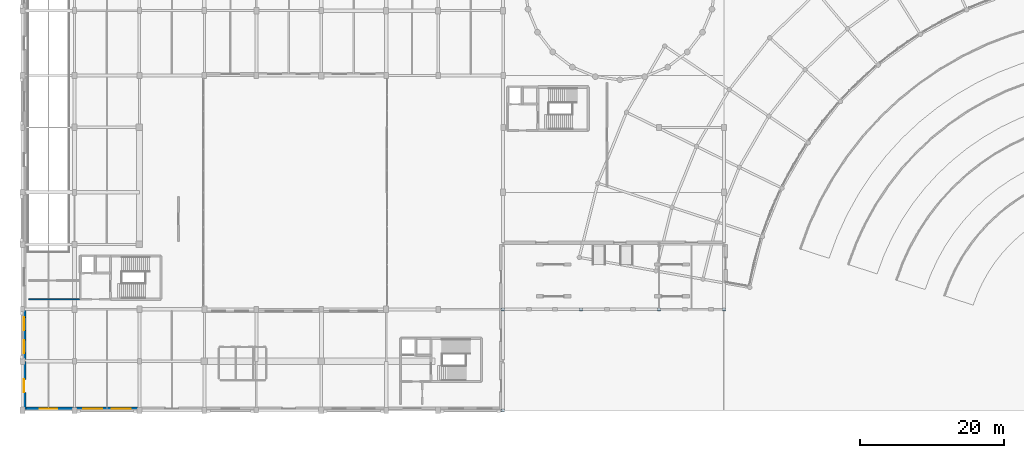
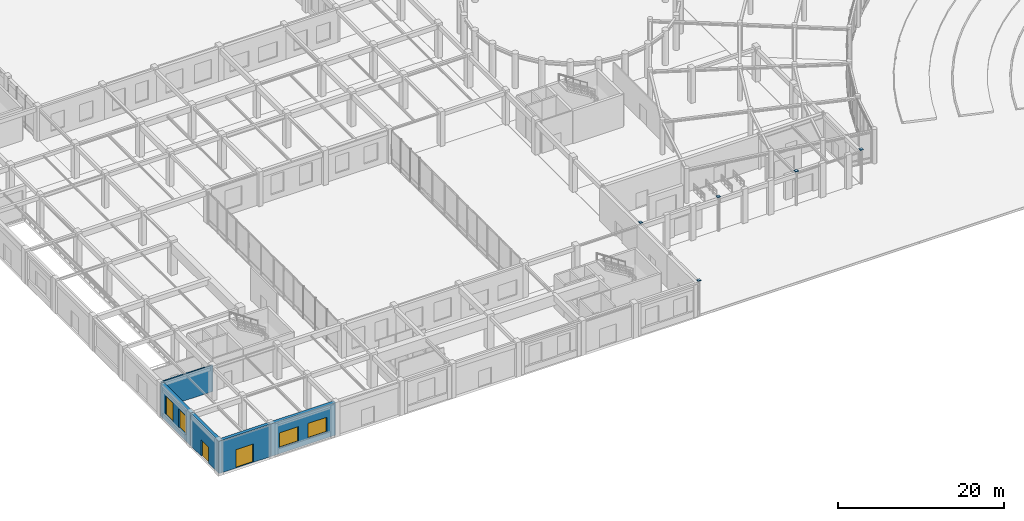
# One storey, part 44 of 64: 5 plates, 5 walls, 4 windows, 2 doors, 6 openings.
"""IFC4 building model written with IfcOpenShell, lengths in metres."""

from ifc_helpers import new_model, si_unit, direction, frame, frame_2d, origin, origin_2d, place, context, subcontext, project, spatial, rectangle, extrude, material, layer, layer_set, type_object, element, fill, save


model = new_model("IFC4")

# Units and contexts
model_context = context("Model", 3, precision=1e-05, world=origin(), true_north=direction((0.0, 1.0)))
body_context = subcontext(model_context, "Body", "Model", "MODEL_VIEW")
ifc_project = project(units=[si_unit("LENGTHUNIT", "METRE"), si_unit("AREAUNIT", "SQUARE_METRE"), si_unit("VOLUMEUNIT", "CUBIC_METRE"), si_unit("PLANEANGLEUNIT", "RADIAN"), si_unit("MASSUNIT", "GRAM", prefix="KILO")], contexts=[model_context])

# Site, building, storey
site_placement = place(None, origin())
site = spatial("IfcSite", under=ifc_project, at=site_placement, CompositionType="ELEMENT")
building_placement = place(site_placement, origin())
building = spatial("IfcBuilding", under=site, at=building_placement, Name="Clarverna Civic Hall", CompositionType="ELEMENT")
storey_placement = place(building_placement, origin())
storey = spatial("IfcBuildingStorey", under=building, at=storey_placement, Name="L00", CompositionType="ELEMENT", Elevation=0.0)

# Plates
ifc_material_1 = material(Name="Steel S355", Category="steel")
ifc_layer_1 = layer(ifc_material_1, 0.02001953125)
ifc_layer_set_1 = layer_set([ifc_layer_1], Name="Steel S355")
plate_type = type_object("IfcPlateType", Name="NP-04", PredefinedType="SHEET", material=ifc_layer_set_1)
for number, where, z_axis, x_axis, name in (
    (1, (66.60009765625, 0.0, 5.094970703125), (0.0, 0.0, 1.0), (1.0, 0.0, 0.0), "NP-04-020"),
    (2, (66.60009765625, 14.0, 5.094970703125), (0.0, 0.0, 1.0), (1.0, 0.0, 0.0), "NP-04-021"),
    (3, (77.39990234375, 14.0, 5.094970703125), (0.0, 0.0, 1.0), (1.0, 0.0, 0.0), "NP-04-024"),
    (4, (88.199951171875, 14.0, 5.094970703125), (0.0, 0.0, 1.0), (1.0, 0.0, 0.0), "NP-04-025"),
    (5, (97.199951171875, 14.0, 5.094970703125), (0.0, 0.0, 1.0), (1.0, 0.0, 0.0), "NP-04-026"),
):
    element("IfcPlate", number, at=place(storey_placement, frame(where, z_axis=z_axis, x_axis=x_axis)), inside=storey, type_object=plate_type, Name=name, PredefinedType="SHEET", context=body_context, shape_type="SweptSolid", body=[
        extrude(rectangle(XDim=0.40380859375, YDim=0.40380859375, at=origin_2d()), origin(), (0.0, 0.0, 1.0), 0.02490234375),
    ])

# Wall, opening, door
ifc_material_2 = material(Name="Precast concrete C40/50", Category="concrete")
ifc_layer_2 = layer(ifc_material_2, 0.449951171875)
ifc_layer_set_2 = layer_set([ifc_layer_2], Name="Precast concrete C40/50")
wall_type_1 = type_object("IfcWallType", Name="EW-01", PredefinedType="SOLIDWALL", material=ifc_layer_set_2)
wall_1_placement = place(storey_placement, frame((0.22509765625, 0.0, 0.0), z_axis=(0.0, 0.0, 1.0), x_axis=(0.0, 1.0, 0.0)))
wall_1 = element("IfcWall", 6, at=wall_1_placement, inside=storey, type_object=wall_type_1, Name="EW-01-001", PredefinedType="SOLIDWALL", context=body_context, shape_type="SweptSolid", body=[
    extrude(rectangle(XDim=6.800048828125, YDim=0.449951171875, at=frame_2d((3.39990234375, 0.0))), origin(), (0.0, 0.0, 1.0), 4.780029296875),
])
opening_1_placement = place(wall_1_placement, frame((2.5, 0.0, 0.0)))
opening_1 = element("IfcOpeningElement", 7, at=opening_1_placement, cuts=wall_1, Name="Opening ED-02", PredefinedType="OPENING", context=body_context, shape_type="SweptSolid", body=[
    extrude(rectangle(XDim=1.800048828125, YDim=2.39990234375, at=frame_2d((0.89990234375, 1.199951171875))), frame((0.0, 0.23486328125, 0.0), z_axis=(0.0, -1.0, 0.0), x_axis=(1.0, 0.0, 0.0)), (0.0, 0.0, 1.0), 0.469970703125),
])
ifc_material_3 = material(Name="Anodised Bronze Glazed Door")
door_type_1 = type_object("IfcDoorType", Name="ED-02", OperationType="DOUBLE_DOOR_SINGLE_SWING", PredefinedType="DOOR", material=ifc_material_3)
door_1_placement = place(opening_1_placement, origin())
door_1 = element("IfcDoor", 8, at=door_1_placement, inside=storey, type_object=door_type_1, Name="ED-02-001", OperationType="DOUBLE_DOOR_SINGLE_SWING", OverallHeight=2.39990234375, OverallWidth=1.800048828125, PredefinedType="DOOR", context=body_context, shape_type="SweptSolid", body=[
    extrude(rectangle(XDim=1.800048828125, YDim=2.39990234375, at=frame_2d((0.89990234375, 1.199951171875))), frame((0.0, 0.02490234375, 0.0), z_axis=(0.0, -1.0, 0.0), x_axis=(1.0, 0.0, 0.0)), (0.0, 0.0, 1.0), 0.050048828125),
])
fill(opening_1, door_1)

# Wall, openings, windows
wall_2_placement = place(storey_placement, frame((0.22509765625, 6.800048828125, 0.0), z_axis=(0.0, 0.0, 1.0), x_axis=(0.0, 1.0, 0.0)))
wall_2 = element("IfcWall", 9, at=wall_2_placement, inside=storey, type_object=wall_type_1, Name="EW-01-002", PredefinedType="SOLIDWALL", context=body_context, shape_type="SweptSolid", body=[
    extrude(rectangle(XDim=7.199951171875, YDim=0.449951171875, at=frame_2d((3.60009765625, 0.0))), origin(), (0.0, 0.0, 1.0), 4.780029296875),
])
opening_2_placement = place(wall_2_placement, frame((1.115966796875, 0.0, 0.85009765625)))
opening_2 = element("IfcOpeningElement", 10, at=opening_2_placement, cuts=wall_2, Name="Opening WN-01", PredefinedType="OPENING", context=body_context, shape_type="SweptSolid", body=[
    extrude(rectangle(XDim=1.800048828125, YDim=2.800048828125, at=frame_2d((0.89990234375, 1.39990234375))), frame((0.0, 0.23486328125, 0.0), z_axis=(0.0, -1.0, 0.0), x_axis=(1.0, 0.0, 0.0)), (0.0, 0.0, 1.0), 0.469970703125),
])
opening_3_placement = place(wall_2_placement, frame((4.283935546875, 0.0, 0.85009765625)))
opening_3 = element("IfcOpeningElement", 11, at=opening_3_placement, cuts=wall_2, Name="Opening WN-01", PredefinedType="OPENING", context=body_context, shape_type="SweptSolid", body=[
    extrude(rectangle(XDim=1.800048828125, YDim=2.800048828125, at=frame_2d((0.89990234375, 1.39990234375))), frame((0.0, 0.23486328125, 0.0), z_axis=(0.0, -1.0, 0.0), x_axis=(1.0, 0.0, 0.0)), (0.0, 0.0, 1.0), 0.469970703125),
])
ifc_material_4 = material(Name="Solar-Control Argon Low-E Double Glazing", Category="glass")
window_type_1 = type_object("IfcWindowType", Name="WN-01", PartitioningType="DOUBLE_PANEL_VERTICAL", PredefinedType="WINDOW", material=ifc_material_4)
window_1_placement = place(opening_2_placement, origin())
window_1 = element("IfcWindow", 12, at=window_1_placement, inside=storey, type_object=window_type_1, Name="WN-01-001", OverallHeight=2.800048828125, OverallWidth=1.800048828125, PartitioningType="DOUBLE_PANEL_VERTICAL", PredefinedType="WINDOW", context=body_context, shape_type="SweptSolid", body=[
    extrude(rectangle(XDim=1.800048828125, YDim=2.800048828125, at=frame_2d((0.89990234375, 1.39990234375))), frame((0.0, 0.030029296875, 0.0), z_axis=(0.0, -1.0, 0.0), x_axis=(1.0, 0.0, 0.0)), (0.0, 0.0, 1.0), 0.06005859375),
])
fill(opening_2, window_1)
window_2_placement = place(opening_3_placement, origin())
window_2 = element("IfcWindow", 13, at=window_2_placement, inside=storey, type_object=window_type_1, Name="WN-01-002", OverallHeight=2.800048828125, OverallWidth=1.800048828125, PartitioningType="DOUBLE_PANEL_VERTICAL", PredefinedType="WINDOW", context=body_context, shape_type="SweptSolid", body=[
    extrude(rectangle(XDim=1.800048828125, YDim=2.800048828125, at=frame_2d((0.89990234375, 1.39990234375))), frame((0.0, 0.030029296875, 0.0), z_axis=(0.0, -1.0, 0.0), x_axis=(1.0, 0.0, 0.0)), (0.0, 0.0, 1.0), 0.06005859375),
])
fill(opening_3, window_2)

wall_3_placement = place(storey_placement, frame((16.199951171875, 0.22509765625, 0.0), z_axis=(0.0, 0.0, 1.0), x_axis=(-1.0, 0.0, 0.0)))
wall_3 = element("IfcWall", 14, at=wall_3_placement, inside=storey, type_object=wall_type_1, Name="EW-01-084", PredefinedType="SOLIDWALL", context=body_context, shape_type="SweptSolid", body=[
    extrude(rectangle(XDim=9.0, YDim=0.449951171875, at=frame_2d((4.5, 0.0))), origin(), (0.0, 0.0, 1.0), 4.780029296875),
])
opening_4_placement = place(wall_3_placement, frame((1.219970703125, 0.0, 0.85009765625)))
opening_4 = element("IfcOpeningElement", 15, at=opening_4_placement, cuts=wall_3, Name="Opening WN-18", PredefinedType="OPENING", context=body_context, shape_type="SweptSolid", body=[
    extrude(rectangle(XDim=2.60009765625, YDim=2.199951171875, at=frame_2d((1.300048828125, 1.10009765625))), frame((0.0, 0.23486328125, 0.0), z_axis=(0.0, -1.0, 0.0), x_axis=(1.0, 0.0, 0.0)), (0.0, 0.0, 1.0), 0.469970703125),
])
opening_5_placement = place(wall_3_placement, frame((5.179931640625, 0.0, 0.85009765625)))
opening_5 = element("IfcOpeningElement", 16, at=opening_5_placement, cuts=wall_3, Name="Opening WN-18", PredefinedType="OPENING", context=body_context, shape_type="SweptSolid", body=[
    extrude(rectangle(XDim=2.60009765625, YDim=2.199951171875, at=frame_2d((1.300048828125, 1.10009765625))), frame((0.0, 0.23486328125, 0.0), z_axis=(0.0, -1.0, 0.0), x_axis=(1.0, 0.0, 0.0)), (0.0, 0.0, 1.0), 0.469970703125),
])
window_type_2 = type_object("IfcWindowType", Name="WN-18", PartitioningType="TRIPLE_PANEL_VERTICAL", PredefinedType="WINDOW", material=ifc_material_4)
window_3_placement = place(opening_4_placement, origin())
window_3 = element("IfcWindow", 17, at=window_3_placement, inside=storey, type_object=window_type_2, Name="WN-18-008", OverallHeight=2.199951171875, OverallWidth=2.60009765625, PartitioningType="TRIPLE_PANEL_VERTICAL", PredefinedType="WINDOW", context=body_context, shape_type="SweptSolid", body=[
    extrude(rectangle(XDim=2.60009765625, YDim=2.199951171875, at=frame_2d((1.300048828125, 1.10009765625))), frame((0.0, 0.030029296875, 0.0), z_axis=(0.0, -1.0, 0.0), x_axis=(1.0, 0.0, 0.0)), (0.0, 0.0, 1.0), 0.06005859375),
])
fill(opening_4, window_3)
window_4_placement = place(opening_5_placement, origin())
window_4 = element("IfcWindow", 18, at=window_4_placement, inside=storey, type_object=window_type_2, Name="WN-18-009", OverallHeight=2.199951171875, OverallWidth=2.60009765625, PartitioningType="TRIPLE_PANEL_VERTICAL", PredefinedType="WINDOW", context=body_context, shape_type="SweptSolid", body=[
    extrude(rectangle(XDim=2.60009765625, YDim=2.199951171875, at=frame_2d((1.300048828125, 1.10009765625))), frame((0.0, 0.030029296875, 0.0), z_axis=(0.0, -1.0, 0.0), x_axis=(1.0, 0.0, 0.0)), (0.0, 0.0, 1.0), 0.06005859375),
])
fill(opening_5, window_4)

# Wall, opening, door
wall_4_placement = place(storey_placement, frame((7.199951171875, 0.22509765625, 0.0), z_axis=(0.0, 0.0, 1.0), x_axis=(-1.0, 0.0, 0.0)))
wall_4 = element("IfcWall", 19, at=wall_4_placement, inside=storey, type_object=wall_type_1, Name="EW-01-085", PredefinedType="SOLIDWALL", context=body_context, shape_type="SweptSolid", body=[
    extrude(rectangle(XDim=7.199951171875, YDim=0.449951171875, at=frame_2d((3.60009765625, 0.0))), origin(), (0.0, 0.0, 1.0), 4.780029296875),
])
opening_6_placement = place(wall_4_placement, frame((2.39990234375, 0.0, 0.0)))
opening_6 = element("IfcOpeningElement", 20, at=opening_6_placement, cuts=wall_4, Name="Opening ED-01", PredefinedType="OPENING", context=body_context, shape_type="SweptSolid", body=[
    extrude(rectangle(XDim=2.39990234375, YDim=2.699951171875, at=frame_2d((1.199951171875, 1.35009765625))), frame((0.0, 0.23486328125, 0.0), z_axis=(0.0, -1.0, 0.0), x_axis=(1.0, 0.0, 0.0)), (0.0, 0.0, 1.0), 0.469970703125),
])
door_type_2 = type_object("IfcDoorType", Name="ED-01", OperationType="DOUBLE_DOOR_SINGLE_SWING", PredefinedType="DOOR", material=ifc_material_3)
door_2_placement = place(opening_6_placement, origin())
door_2 = element("IfcDoor", 21, at=door_2_placement, inside=storey, type_object=door_type_2, Name="ED-01-016", OperationType="DOUBLE_DOOR_SINGLE_SWING", OverallHeight=2.699951171875, OverallWidth=2.39990234375, PredefinedType="DOOR", context=body_context, shape_type="SweptSolid", body=[
    extrude(rectangle(XDim=2.39990234375, YDim=2.699951171875, at=frame_2d((1.199951171875, 1.35009765625))), frame((0.0, 0.02490234375, 0.0), z_axis=(0.0, -1.0, 0.0), x_axis=(1.0, 0.0, 0.0)), (0.0, 0.0, 1.0), 0.050048828125),
])
fill(opening_6, door_2)

# Wall
ifc_material_5 = material(Name="Acoustic Gypsum Plasterboard on Twin Frame", Category="gypsum")
ifc_layer_3 = layer(ifc_material_5, 0.18994140625)
ifc_layer_set_3 = layer_set([ifc_layer_3], Name="Acoustic Gypsum Plasterboard on Twin Frame")
wall_type_2 = type_object("IfcWallType", Name="PW-06", PredefinedType="PARTITIONING", material=ifc_layer_set_3)
wall_5_placement = place(storey_placement, frame((0.85009765625, 15.39990234375, 0.0), z_axis=(0.0, 0.0, 1.0), x_axis=(1.0, 0.0, 0.0)))
element("IfcWall", 22, at=wall_5_placement, inside=storey, type_object=wall_type_2, Name="PW-06-131", PredefinedType="PARTITIONING", context=body_context, shape_type="SweptSolid", body=[
    extrude(rectangle(XDim=7.14990234375, YDim=0.18994140625, at=frame_2d((3.574951171875, 0.0))), origin(), (0.0, 0.0, 1.0), 3.8798828125),
])

save(model, "model.ifc")
